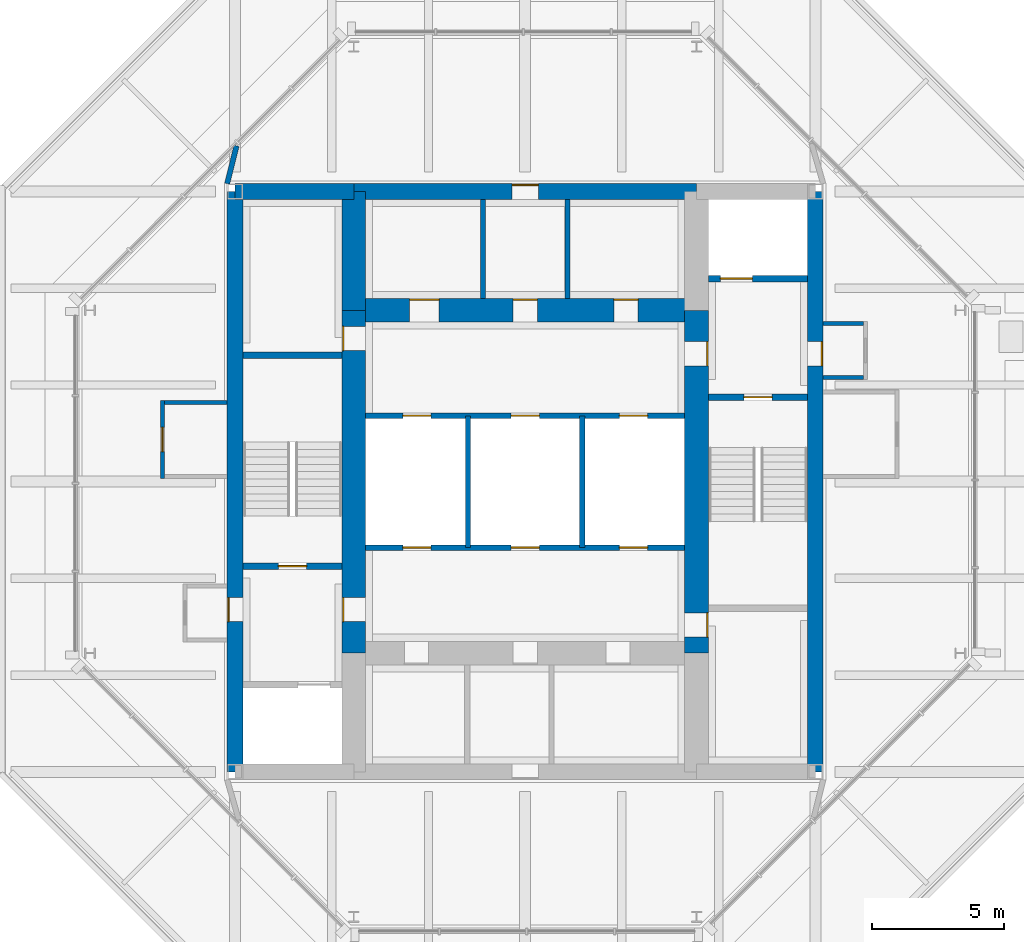
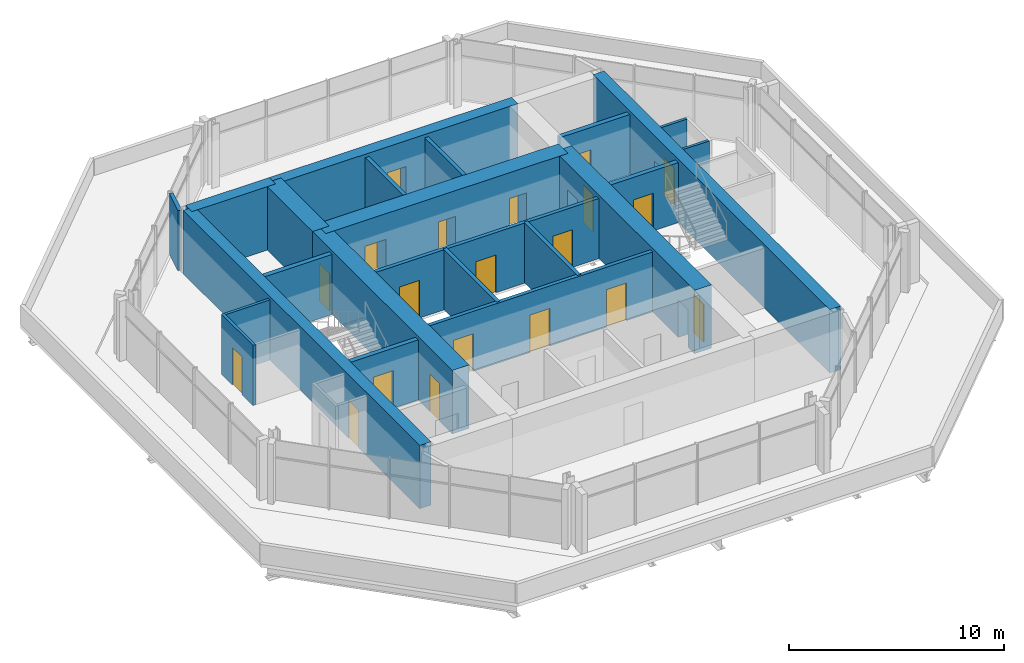
# One storey, part 8 of 10: 23 walls, 20 doors, 20 openings.
"""IFC4 building model written with IfcOpenShell, lengths in metres."""

from ifc_helpers import new_model, si_unit, direction, frame, frame_2d, origin, place, context, subcontext, project, spatial, rectangle, extrude, material, layer, layer_set, type_object, element, fill, save


model = new_model("IFC4")

# Units and contexts
model_context = context("Model", 3, precision=1e-05, world=origin(), true_north=direction((0.0, 1.0)))
body_context = subcontext(model_context, "Body", "Model", "MODEL_VIEW")
ifc_project = project(units=[si_unit("LENGTHUNIT", "METRE"), si_unit("AREAUNIT", "SQUARE_METRE"), si_unit("VOLUMEUNIT", "CUBIC_METRE"), si_unit("PLANEANGLEUNIT", "RADIAN"), si_unit("MASSUNIT", "GRAM", prefix="KILO")], contexts=[model_context])

# Site, building, storey
site_placement = place(None, origin())
site = spatial("IfcSite", under=ifc_project, at=site_placement, CompositionType="ELEMENT")
building_placement = place(site_placement, origin())
building = spatial("IfcBuilding", under=site, at=building_placement, Name="Trevanion Tower", CompositionType="ELEMENT")
storey_placement = place(building_placement, frame((0.0, 0.0, 263.199951171875)))
storey = spatial("IfcBuildingStorey", under=building, at=storey_placement, Name="L64", CompositionType="ELEMENT", Elevation=263.199951171875)

# Wall, opening, door
ifc_material_1 = material(Name="Concrete 10,000 psi", Category="concrete")
ifc_layer_1 = layer(ifc_material_1, 0.60009765625)
ifc_layer_set_1 = layer_set([ifc_layer_1], Name="CW1 core wall 600")
wall_type_1 = type_object("IfcWallType", Name="CW1 core wall 600", PredefinedType="SHEAR", material=ifc_layer_set_1)
wall_1_placement = place(storey_placement, frame((11.0, -11.0, 0.0), z_axis=(0.0, 0.0, 1.0), x_axis=(0.0, 1.0, 0.0)))
wall_1 = element("IfcWall", 1, at=wall_1_placement, inside=storey, type_object=wall_type_1, Name="CW1 CE L64", PredefinedType="SHEAR", context=body_context, shape_type="SweptSolid", body=[
    extrude(rectangle(XDim=22.0, YDim=0.60009765625, at=frame_2d((11.0, 0.0))), origin(), (0.0, 0.0, 1.0), 3.60009765625),
])
opening_1_placement = place(wall_1_placement, frame((15.392578125, 0.0, 0.0)))
opening_1 = element("IfcOpeningElement", 2, at=opening_1_placement, cuts=wall_1, Name="Opening 64-001", PredefinedType="OPENING", context=body_context, shape_type="SweptSolid", body=[
    extrude(rectangle(XDim=0.9150390625, YDim=2.134033203125, at=frame_2d((0.45751953125, 1.06689453125))), frame((0.0, 0.31005859375, 0.0), z_axis=(0.0, -1.0, 0.0), x_axis=(1.0, 0.0, 0.0)), (0.0, 0.0, 1.0), 0.6201171875),
])
ifc_material_2 = material(Name="Hollow metal, fire rated", Category="steel")
door_type_1 = type_object("IfcDoorType", Name="D3 fire lift lobby door", OperationType="SINGLE_SWING_RIGHT", PredefinedType="DOOR", material=ifc_material_2)
door_1_placement = place(opening_1_placement, origin())
door_1 = element("IfcDoor", 3, at=door_1_placement, inside=storey, type_object=door_type_1, Name="Door 64-001", OperationType="SINGLE_SWING_RIGHT", OverallHeight=2.134033203125, OverallWidth=0.9150390625, PredefinedType="DOOR", context=body_context, shape_type="SweptSolid", body=[
    extrude(rectangle(XDim=0.9150390625, YDim=2.134033203125, at=frame_2d((0.45751953125, 1.06689453125))), frame((0.0, -0.22509765625, 0.0), z_axis=(0.0, -1.0, 0.0), x_axis=(1.0, 0.0, 0.0)), (0.0, 0.0, 1.0), 0.050048828125),
])
fill(opening_1, door_1)

wall_2_placement = place(storey_placement, frame((-11.0, 11.0, 0.0), z_axis=(0.0, 0.0, 1.0), x_axis=(0.0, -1.0, 0.0)))
wall_2 = element("IfcWall", 4, at=wall_2_placement, inside=storey, type_object=wall_type_1, Name="CW1 CW L64", PredefinedType="SHEAR", context=body_context, shape_type="SweptSolid", body=[
    extrude(rectangle(XDim=22.0, YDim=0.60009765625, at=frame_2d((11.0, 0.0))), origin(), (0.0, 0.0, 1.0), 3.60009765625),
])
opening_2_placement = place(wall_2_placement, frame((15.392578125, 0.0, 0.0)))
opening_2 = element("IfcOpeningElement", 5, at=opening_2_placement, cuts=wall_2, Name="Opening 64-002", PredefinedType="OPENING", context=body_context, shape_type="SweptSolid", body=[
    extrude(rectangle(XDim=0.9150390625, YDim=2.134033203125, at=frame_2d((0.45751953125, 1.06689453125))), frame((0.0, 0.31005859375, 0.0), z_axis=(0.0, -1.0, 0.0), x_axis=(1.0, 0.0, 0.0)), (0.0, 0.0, 1.0), 0.6201171875),
])
door_2_placement = place(opening_2_placement, origin())
door_2 = element("IfcDoor", 6, at=door_2_placement, inside=storey, type_object=door_type_1, Name="Door 64-002", OperationType="SINGLE_SWING_RIGHT", OverallHeight=2.134033203125, OverallWidth=0.9150390625, PredefinedType="DOOR", context=body_context, shape_type="SweptSolid", body=[
    extrude(rectangle(XDim=0.9150390625, YDim=2.134033203125, at=frame_2d((0.45751953125, 1.06689453125))), frame((0.0, -0.22509765625, 0.0), z_axis=(0.0, -1.0, 0.0), x_axis=(1.0, 0.0, 0.0)), (0.0, 0.0, 1.0), 0.050048828125),
])
fill(opening_2, door_2)

wall_3_placement = place(storey_placement, frame((6.5, 11.0, 0.0), z_axis=(0.0, 0.0, 1.0), x_axis=(-1.0, 0.0, 0.0)))
wall_3 = element("IfcWall", 7, at=wall_3_placement, inside=storey, type_object=wall_type_1, Name="CW1 CN2 L64", PredefinedType="SHEAR", context=body_context, shape_type="SweptSolid", body=[
    extrude(rectangle(XDim=13.0, YDim=0.60009765625, at=frame_2d((6.5, 0.0))), origin(), (0.0, 0.0, 1.0), 3.60009765625),
])
opening_3_placement = place(wall_3_placement, frame((6.0, 0.0, 0.0)))
opening_3 = element("IfcOpeningElement", 8, at=opening_3_placement, cuts=wall_3, Name="Opening 64-018", PredefinedType="OPENING", context=body_context, shape_type="SweptSolid", body=[
    extrude(rectangle(XDim=1.0, YDim=2.134033203125, at=frame_2d((0.5, 1.06689453125))), frame((0.0, 0.31005859375, 0.0), z_axis=(0.0, -1.0, 0.0), x_axis=(1.0, 0.0, 0.0)), (0.0, 0.0, 1.0), 0.6201171875),
])
ifc_material_3 = material(Name="Timber veneer on steel frame, fire rated", Category="steel")
door_type_2 = type_object("IfcDoorType", Name="D13 residence entrance door", OperationType="SINGLE_SWING_RIGHT", PredefinedType="DOOR", material=ifc_material_3)
door_3_placement = place(opening_3_placement, origin())
door_3 = element("IfcDoor", 9, at=door_3_placement, inside=storey, type_object=door_type_2, Name="Door 64-018", OperationType="SINGLE_SWING_RIGHT", OverallHeight=2.134033203125, OverallWidth=1.0, PredefinedType="DOOR", context=body_context, shape_type="SweptSolid", body=[
    extrude(rectangle(XDim=1.0, YDim=2.134033203125, at=frame_2d((0.5, 1.06689453125))), frame((0.0, -0.22509765625, 0.0), z_axis=(0.0, -1.0, 0.0), x_axis=(1.0, 0.0, 0.0)), (0.0, 0.0, 1.0), 0.050048828125),
])
fill(opening_3, door_3)

# Wall
wall_4_placement = place(storey_placement, frame((-6.5, 11.0, 0.0), z_axis=(0.0, 0.0, 1.0), x_axis=(-1.0, 0.0, 0.0)))
element("IfcWall", 10, at=wall_4_placement, inside=storey, type_object=wall_type_1, Name="CW1 CN3 L64", PredefinedType="SHEAR", context=body_context, shape_type="SweptSolid", body=[
    extrude(rectangle(XDim=4.5, YDim=0.60009765625, at=frame_2d((2.25, 0.0))), origin(), (0.0, 0.0, 1.0), 3.60009765625),
])

# Wall, openings, doors
ifc_material_4 = material(Name="Concrete 10,000 psi", Category="concrete")
ifc_layer_2 = layer(ifc_material_4, 0.89990234375)
ifc_layer_set_2 = layer_set([ifc_layer_2], Name="CW2 core wall 900")
wall_type_2 = type_object("IfcWallType", Name="CW2 core wall 900", PredefinedType="SHEAR", material=ifc_layer_set_2)
wall_5_placement = place(storey_placement, frame((6.5, -6.5, 0.0), z_axis=(0.0, 0.0, 1.0), x_axis=(0.0, 1.0, 0.0)))
wall_5 = element("IfcWall", 11, at=wall_5_placement, inside=storey, type_object=wall_type_2, Name="CW2 RE2 L64", PredefinedType="SHEAR", context=body_context, shape_type="SweptSolid", body=[
    extrude(rectangle(XDim=13.0, YDim=0.89990234375, at=frame_2d((6.5, 0.0))), origin(), (0.0, 0.0, 1.0), 3.60009765625),
])
opening_4_placement = place(wall_5_placement, frame((10.892578125, 0.0, 0.0)))
opening_4 = element("IfcOpeningElement", 12, at=opening_4_placement, cuts=wall_5, Name="Opening 64-003", PredefinedType="OPENING", context=body_context, shape_type="SweptSolid", body=[
    extrude(rectangle(XDim=0.9150390625, YDim=2.134033203125, at=frame_2d((0.45751953125, 1.06689453125))), frame((0.0, 0.4599609375, 0.0), z_axis=(0.0, -1.0, 0.0), x_axis=(1.0, 0.0, 0.0)), (0.0, 0.0, 1.0), 0.919921875),
])
opening_5_placement = place(wall_5_placement, frame((0.610107421875, 0.0, 0.0)))
opening_5 = element("IfcOpeningElement", 13, at=opening_5_placement, cuts=wall_5, Name="Opening 64-009", PredefinedType="OPENING", context=body_context, shape_type="SweptSolid", body=[
    extrude(rectangle(XDim=0.9150390625, YDim=2.134033203125, at=frame_2d((0.45751953125, 1.06689453125))), frame((0.0, 0.4599609375, 0.0), z_axis=(0.0, -1.0, 0.0), x_axis=(1.0, 0.0, 0.0)), (0.0, 0.0, 1.0), 0.919921875),
])
door_4_placement = place(opening_4_placement, origin())
door_4 = element("IfcDoor", 14, at=door_4_placement, inside=storey, type_object=door_type_1, Name="Door 64-003", OperationType="SINGLE_SWING_RIGHT", OverallHeight=2.134033203125, OverallWidth=0.9150390625, PredefinedType="DOOR", context=body_context, shape_type="SweptSolid", body=[
    extrude(rectangle(XDim=0.9150390625, YDim=2.134033203125, at=frame_2d((0.45751953125, 1.06689453125))), frame((0.0, -0.375, 0.0), z_axis=(0.0, -1.0, 0.0), x_axis=(1.0, 0.0, 0.0)), (0.0, 0.0, 1.0), 0.050048828125),
])
fill(opening_4, door_4)
ifc_material_5 = material(Name="Hollow metal, fire rated", Category="steel")
door_type_3 = type_object("IfcDoorType", Name="D5 service room door", OperationType="SINGLE_SWING_RIGHT", PredefinedType="DOOR", material=ifc_material_5)
door_5_placement = place(opening_5_placement, origin())
door_5 = element("IfcDoor", 15, at=door_5_placement, inside=storey, type_object=door_type_3, Name="Door 64-009", OperationType="SINGLE_SWING_RIGHT", OverallHeight=2.134033203125, OverallWidth=0.9150390625, PredefinedType="DOOR", context=body_context, shape_type="SweptSolid", body=[
    extrude(rectangle(XDim=0.9150390625, YDim=2.134033203125, at=frame_2d((0.45751953125, 1.06689453125))), frame((0.0, -0.375, 0.0), z_axis=(0.0, -1.0, 0.0), x_axis=(1.0, 0.0, 0.0)), (0.0, 0.0, 1.0), 0.050048828125),
])
fill(opening_5, door_5)

# Wall
wall_6_placement = place(storey_placement, frame((-6.5, 11.0, 0.0), z_axis=(0.0, 0.0, 1.0), x_axis=(0.0, -1.0, 0.0)))
element("IfcWall", 16, at=wall_6_placement, inside=storey, type_object=wall_type_2, Name="CW2 RW1 L64", PredefinedType="SHEAR", context=body_context, shape_type="SweptSolid", body=[
    extrude(rectangle(XDim=4.5, YDim=0.89990234375, at=frame_2d((2.25, 0.0))), origin(), (0.0, 0.0, 1.0), 3.60009765625),
])

# Wall, openings, doors
wall_7_placement = place(storey_placement, frame((-6.5, 6.5, 0.0), z_axis=(0.0, 0.0, 1.0), x_axis=(0.0, -1.0, 0.0)))
wall_7 = element("IfcWall", 17, at=wall_7_placement, inside=storey, type_object=wall_type_2, Name="CW2 RW2 L64", PredefinedType="SHEAR", context=body_context, shape_type="SweptSolid", body=[
    extrude(rectangle(XDim=13.0, YDim=0.89990234375, at=frame_2d((6.5, 0.0))), origin(), (0.0, 0.0, 1.0), 3.60009765625),
])
opening_6_placement = place(wall_7_placement, frame((10.892578125, 0.0, 0.0)))
opening_6 = element("IfcOpeningElement", 18, at=opening_6_placement, cuts=wall_7, Name="Opening 64-004", PredefinedType="OPENING", context=body_context, shape_type="SweptSolid", body=[
    extrude(rectangle(XDim=0.9150390625, YDim=2.134033203125, at=frame_2d((0.45751953125, 1.06689453125))), frame((0.0, 0.4599609375, 0.0), z_axis=(0.0, -1.0, 0.0), x_axis=(1.0, 0.0, 0.0)), (0.0, 0.0, 1.0), 0.919921875),
])
opening_7_placement = place(wall_7_placement, frame((0.610107421875, 0.0, 0.0)))
opening_7 = element("IfcOpeningElement", 19, at=opening_7_placement, cuts=wall_7, Name="Opening 64-010", PredefinedType="OPENING", context=body_context, shape_type="SweptSolid", body=[
    extrude(rectangle(XDim=0.9150390625, YDim=2.134033203125, at=frame_2d((0.45751953125, 1.06689453125))), frame((0.0, 0.4599609375, 0.0), z_axis=(0.0, -1.0, 0.0), x_axis=(1.0, 0.0, 0.0)), (0.0, 0.0, 1.0), 0.919921875),
])
door_6_placement = place(opening_6_placement, origin())
door_6 = element("IfcDoor", 20, at=door_6_placement, inside=storey, type_object=door_type_1, Name="Door 64-004", OperationType="SINGLE_SWING_RIGHT", OverallHeight=2.134033203125, OverallWidth=0.9150390625, PredefinedType="DOOR", context=body_context, shape_type="SweptSolid", body=[
    extrude(rectangle(XDim=0.9150390625, YDim=2.134033203125, at=frame_2d((0.45751953125, 1.06689453125))), frame((0.0, -0.375, 0.0), z_axis=(0.0, -1.0, 0.0), x_axis=(1.0, 0.0, 0.0)), (0.0, 0.0, 1.0), 0.050048828125),
])
fill(opening_6, door_6)
door_7_placement = place(opening_7_placement, origin())
door_7 = element("IfcDoor", 21, at=door_7_placement, inside=storey, type_object=door_type_3, Name="Door 64-010", OperationType="SINGLE_SWING_RIGHT", OverallHeight=2.134033203125, OverallWidth=0.9150390625, PredefinedType="DOOR", context=body_context, shape_type="SweptSolid", body=[
    extrude(rectangle(XDim=0.9150390625, YDim=2.134033203125, at=frame_2d((0.45751953125, 1.06689453125))), frame((0.0, -0.375, 0.0), z_axis=(0.0, -1.0, 0.0), x_axis=(1.0, 0.0, 0.0)), (0.0, 0.0, 1.0), 0.050048828125),
])
fill(opening_7, door_7)

wall_8_placement = place(storey_placement, frame((6.5, 6.5, 0.0), z_axis=(0.0, 0.0, 1.0), x_axis=(-1.0, 0.0, 0.0)))
wall_8 = element("IfcWall", 22, at=wall_8_placement, inside=storey, type_object=wall_type_2, Name="CW2 RN L64", PredefinedType="SHEAR", context=body_context, shape_type="SweptSolid", body=[
    extrude(rectangle(XDim=13.0, YDim=0.89990234375, at=frame_2d((6.5, 0.0))), origin(), (0.0, 0.0, 1.0), 3.60009765625),
])
opening_8_placement = place(wall_8_placement, frame((6.04248046875, 0.0, 0.0)))
opening_8 = element("IfcOpeningElement", 23, at=opening_8_placement, cuts=wall_8, Name="Opening 64-017", PredefinedType="OPENING", context=body_context, shape_type="SweptSolid", body=[
    extrude(rectangle(XDim=0.9150390625, YDim=2.134033203125, at=frame_2d((0.45751953125, 1.06689453125))), frame((0.0, 0.4599609375, 0.0), z_axis=(0.0, -1.0, 0.0), x_axis=(1.0, 0.0, 0.0)), (0.0, 0.0, 1.0), 0.919921875),
])
opening_9_placement = place(wall_8_placement, frame((9.76611328125, 0.0, 0.0)))
opening_9 = element("IfcOpeningElement", 24, at=opening_9_placement, cuts=wall_8, Name="Opening 64-019", PredefinedType="OPENING", context=body_context, shape_type="SweptSolid", body=[
    extrude(rectangle(XDim=1.117919921875, YDim=2.134033203125, at=frame_2d((0.55908203125, 1.06689453125))), frame((0.0, 0.4599609375, 0.0), z_axis=(0.0, -1.0, 0.0), x_axis=(1.0, 0.0, 0.0)), (0.0, 0.0, 1.0), 0.919921875),
])
opening_10_placement = place(wall_8_placement, frame((2.217529296875, 0.0, 0.0)))
opening_10 = element("IfcOpeningElement", 25, at=opening_10_placement, cuts=wall_8, Name="Opening 64-020", PredefinedType="OPENING", context=body_context, shape_type="SweptSolid", body=[
    extrude(rectangle(XDim=0.9150390625, YDim=2.134033203125, at=frame_2d((0.45751953125, 1.06689453125))), frame((0.0, 0.4599609375, 0.0), z_axis=(0.0, -1.0, 0.0), x_axis=(1.0, 0.0, 0.0)), (0.0, 0.0, 1.0), 0.919921875),
])
ifc_material_6 = material(Name="Hollow metal, fire rated", Category="steel")
door_type_4 = type_object("IfcDoorType", Name="D16 refuse room door", OperationType="SINGLE_SWING_RIGHT", PredefinedType="DOOR", material=ifc_material_6)
door_8_placement = place(opening_9_placement, origin())
door_8 = element("IfcDoor", 26, at=door_8_placement, inside=storey, type_object=door_type_4, Name="Door 64-019", OperationType="SINGLE_SWING_RIGHT", OverallHeight=2.134033203125, OverallWidth=1.117919921875, PredefinedType="DOOR", context=body_context, shape_type="SweptSolid", body=[
    extrude(rectangle(XDim=1.117919921875, YDim=2.134033203125, at=frame_2d((0.55908203125, 1.06689453125))), frame((0.0, -0.375, 0.0), z_axis=(0.0, -1.0, 0.0), x_axis=(1.0, 0.0, 0.0)), (0.0, 0.0, 1.0), 0.050048828125),
])
fill(opening_9, door_8)
door_9_placement = place(opening_8_placement, origin())
door_9 = element("IfcDoor", 27, at=door_9_placement, inside=storey, type_object=door_type_1, Name="Door 64-017", OperationType="SINGLE_SWING_RIGHT", OverallHeight=2.134033203125, OverallWidth=0.9150390625, PredefinedType="DOOR", context=body_context, shape_type="SweptSolid", body=[
    extrude(rectangle(XDim=0.9150390625, YDim=2.134033203125, at=frame_2d((0.45751953125, 1.06689453125))), frame((0.0, -0.375, 0.0), z_axis=(0.0, -1.0, 0.0), x_axis=(1.0, 0.0, 0.0)), (0.0, 0.0, 1.0), 0.050048828125),
])
fill(opening_8, door_9)
door_10_placement = place(opening_10_placement, origin())
door_10 = element("IfcDoor", 28, at=door_10_placement, inside=storey, type_object=door_type_3, Name="Door 64-020", OperationType="SINGLE_SWING_RIGHT", OverallHeight=2.134033203125, OverallWidth=0.9150390625, PredefinedType="DOOR", context=body_context, shape_type="SweptSolid", body=[
    extrude(rectangle(XDim=0.9150390625, YDim=2.134033203125, at=frame_2d((0.45751953125, 1.06689453125))), frame((0.0, -0.375, 0.0), z_axis=(0.0, -1.0, 0.0), x_axis=(1.0, 0.0, 0.0)), (0.0, 0.0, 1.0), 0.050048828125),
])
fill(opening_10, door_10)

# Walls
ifc_material_7 = material(Name="Gypsum board on steel studs", Category="steel")
ifc_layer_3 = layer(ifc_material_7, 0.14990234375)
ifc_layer_set_3 = layer_set([ifc_layer_3], Name="PT1 partition 150")
wall_type_3 = type_object("IfcWallType", Name="PT1 partition 150", PredefinedType="PARTITIONING", material=ifc_layer_set_3)
for number, where, z_axis, x_axis, name in (
    (29, (11.300048828125, 3.949951171875, 0.0), (0.0, 0.0, 1.0), (1.0, 0.0, 0.0), "PT1 L64 REEA"),
    (30, (11.300048828125, 6.0, 0.0), (0.0, 0.0, 1.0), (1.0, 0.0, 0.0), "PT1 L64 REEB"),
):
    element("IfcWall", number, at=place(storey_placement, frame(where, z_axis=z_axis, x_axis=x_axis)), inside=storey, type_object=wall_type_3, Name=name, PredefinedType="PARTITIONING", context=body_context, shape_type="SweptSolid", body=[
        extrude(rectangle(XDim=1.52490234375, YDim=0.14990234375, at=frame_2d((0.762451171875, 0.0))), origin(), (0.0, 0.0, 1.0), 3.41015625),
    ])

# Wall, opening, door
wall_9_placement = place(storey_placement, frame((-13.75, 3.074951171875, 0.0), z_axis=(0.0, 0.0, 1.0), x_axis=(0.0, -1.0, 0.0)))
wall_9 = element("IfcWall", 31, at=wall_9_placement, inside=storey, type_object=wall_type_3, Name="PT1 L64 RWTF", PredefinedType="PARTITIONING", context=body_context, shape_type="SweptSolid", body=[
    extrude(rectangle(XDim=2.949951171875, YDim=0.14990234375, at=frame_2d((1.47509765625, 0.0))), origin(), (0.0, 0.0, 1.0), 3.41015625),
])
opening_11_placement = place(wall_9_placement, frame((1.017578125, 0.0, 0.0)))
opening_11 = element("IfcOpeningElement", 32, at=opening_11_placement, cuts=wall_9, Name="Opening 64-028", PredefinedType="OPENING", context=body_context, shape_type="SweptSolid", body=[
    extrude(rectangle(XDim=0.9150390625, YDim=2.134033203125, at=frame_2d((0.45751953125, 1.06689453125))), frame((0.0, 0.0849609375, 0.0), z_axis=(0.0, -1.0, 0.0), x_axis=(1.0, 0.0, 0.0)), (0.0, 0.0, 1.0), 0.169921875),
])
ifc_material_8 = material(Name="Plastic laminate on solid core", Category="wood")
door_type_5 = type_object("IfcDoorType", Name="D4 toilet door", OperationType="SINGLE_SWING_LEFT", PredefinedType="DOOR", material=ifc_material_8)
door_11_placement = place(opening_11_placement, origin())
door_11 = element("IfcDoor", 33, at=door_11_placement, inside=storey, type_object=door_type_5, Name="Door 64-028", OperationType="SINGLE_SWING_LEFT", OverallHeight=2.134033203125, OverallWidth=0.9150390625, PredefinedType="DOOR", context=body_context, shape_type="SweptSolid", body=[
    extrude(rectangle(XDim=0.9150390625, YDim=2.134033203125, at=frame_2d((0.45751953125, 1.06689453125))), frame((0.0, 0.02490234375, 0.0), z_axis=(0.0, -1.0, 0.0), x_axis=(1.0, 0.0, 0.0)), (0.0, 0.0, 1.0), 0.050048828125),
])
fill(opening_11, door_11)

# Wall
wall_10_placement = place(storey_placement, frame((-11.300048828125, 3.0, 0.0), z_axis=(0.0, 0.0, 1.0), x_axis=(-1.0, 0.0, 0.0)))
element("IfcWall", 34, at=wall_10_placement, inside=storey, type_object=wall_type_3, Name="PT1 L64 RWTA", PredefinedType="PARTITIONING", context=body_context, shape_type="SweptSolid", body=[
    extrude(rectangle(XDim=2.375, YDim=0.14990234375, at=frame_2d((1.1875, 0.0))), origin(), (0.0, 0.0, 1.0), 3.41015625),
])

# Wall, openings, doors
ifc_material_9 = material(Name="Concrete masonry, grouted", Category="masonry")
ifc_layer_4 = layer(ifc_material_9, 0.199951171875)
ifc_layer_set_4 = layer_set([ifc_layer_4], Name="PT2 partition 200 1 HR")
wall_type_4 = type_object("IfcWallType", Name="PT2 partition 200 1 HR", PredefinedType="PARTITIONING", material=ifc_layer_set_4)
wall_11_placement = place(storey_placement, frame((-6.050048828125, 2.5, 0.0), z_axis=(0.0, 0.0, 1.0), x_axis=(1.0, 0.0, 0.0)))
wall_11 = element("IfcWall", 35, at=wall_11_placement, inside=storey, type_object=wall_type_4, Name="PT2 L64 CP1", PredefinedType="PARTITIONING", context=body_context, shape_type="SweptSolid", body=[
    extrude(rectangle(XDim=12.10009765625, YDim=0.199951171875, at=frame_2d((6.050048828125, 0.0))), origin(), (0.0, 0.0, 1.0), 3.41015625),
])
opening_12_placement = place(wall_11_placement, frame((1.408203125, 0.0, 0.0)))
opening_12 = element("IfcOpeningElement", 36, at=opening_12_placement, cuts=wall_11, Name="Opening 64-011", PredefinedType="OPENING", context=body_context, shape_type="SweptSolid", body=[
    extrude(rectangle(XDim=1.06689453125, YDim=2.134033203125, at=frame_2d((0.533447265625, 1.06689453125))), frame((0.0, 0.10986328125, 0.0), z_axis=(0.0, -1.0, 0.0), x_axis=(1.0, 0.0, 0.0)), (0.0, 0.0, 1.0), 0.219970703125),
])
opening_13_placement = place(wall_11_placement, frame((5.5166015625, 0.0, 0.0)))
opening_13 = element("IfcOpeningElement", 37, at=opening_13_placement, cuts=wall_11, Name="Opening 64-013", PredefinedType="OPENING", context=body_context, shape_type="SweptSolid", body=[
    extrude(rectangle(XDim=1.06689453125, YDim=2.134033203125, at=frame_2d((0.533447265625, 1.06689453125))), frame((0.0, 0.10986328125, 0.0), z_axis=(0.0, -1.0, 0.0), x_axis=(1.0, 0.0, 0.0)), (0.0, 0.0, 1.0), 0.219970703125),
])
opening_14_placement = place(wall_11_placement, frame((9.624755859375, 0.0, 0.0)))
opening_14 = element("IfcOpeningElement", 38, at=opening_14_placement, cuts=wall_11, Name="Opening 64-015", PredefinedType="OPENING", context=body_context, shape_type="SweptSolid", body=[
    extrude(rectangle(XDim=1.06689453125, YDim=2.134033203125, at=frame_2d((0.533447265625, 1.06689453125))), frame((0.0, 0.10986328125, 0.0), z_axis=(0.0, -1.0, 0.0), x_axis=(1.0, 0.0, 0.0)), (0.0, 0.0, 1.0), 0.219970703125),
])
ifc_material_10 = material(Name="Stainless steel, fire rated", Category="steel")
door_type_6 = type_object("IfcDoorType", Name="LD1 lift landing door", OperationType="SLIDING_TO_LEFT", PredefinedType="DOOR", material=ifc_material_10)
door_12_placement = place(opening_12_placement, origin())
door_12 = element("IfcDoor", 39, at=door_12_placement, inside=storey, type_object=door_type_6, Name="Door 64-011", OperationType="SLIDING_TO_LEFT", OverallHeight=2.134033203125, OverallWidth=1.06689453125, PredefinedType="DOOR", context=body_context, shape_type="SweptSolid", body=[
    extrude(rectangle(XDim=1.06689453125, YDim=2.134033203125, at=frame_2d((0.533447265625, 1.06689453125))), frame((0.0, 0.02490234375, 0.0), z_axis=(0.0, -1.0, 0.0), x_axis=(1.0, 0.0, 0.0)), (0.0, 0.0, 1.0), 0.050048828125),
])
fill(opening_12, door_12)
door_13_placement = place(opening_13_placement, origin())
door_13 = element("IfcDoor", 40, at=door_13_placement, inside=storey, type_object=door_type_6, Name="Door 64-013", OperationType="SLIDING_TO_LEFT", OverallHeight=2.134033203125, OverallWidth=1.06689453125, PredefinedType="DOOR", context=body_context, shape_type="SweptSolid", body=[
    extrude(rectangle(XDim=1.06689453125, YDim=2.134033203125, at=frame_2d((0.533447265625, 1.06689453125))), frame((0.0, 0.02490234375, 0.0), z_axis=(0.0, -1.0, 0.0), x_axis=(1.0, 0.0, 0.0)), (0.0, 0.0, 1.0), 0.050048828125),
])
fill(opening_13, door_13)
door_14_placement = place(opening_14_placement, origin())
door_14 = element("IfcDoor", 41, at=door_14_placement, inside=storey, type_object=door_type_6, Name="Door 64-015", OperationType="SLIDING_TO_LEFT", OverallHeight=2.134033203125, OverallWidth=1.06689453125, PredefinedType="DOOR", context=body_context, shape_type="SweptSolid", body=[
    extrude(rectangle(XDim=1.06689453125, YDim=2.134033203125, at=frame_2d((0.533447265625, 1.06689453125))), frame((0.0, 0.02490234375, 0.0), z_axis=(0.0, -1.0, 0.0), x_axis=(1.0, 0.0, 0.0)), (0.0, 0.0, 1.0), 0.050048828125),
])
fill(opening_14, door_14)

wall_12_placement = place(storey_placement, frame((6.050048828125, -2.5, 0.0), z_axis=(0.0, 0.0, 1.0), x_axis=(-1.0, 0.0, 0.0)))
wall_12 = element("IfcWall", 42, at=wall_12_placement, inside=storey, type_object=wall_type_4, Name="PT2 L64 CP2", PredefinedType="PARTITIONING", context=body_context, shape_type="SweptSolid", body=[
    extrude(rectangle(XDim=12.10009765625, YDim=0.199951171875, at=frame_2d((6.050048828125, 0.0))), origin(), (0.0, 0.0, 1.0), 3.41015625),
])
opening_15_placement = place(wall_12_placement, frame((9.624755859375, 0.0, 0.0)))
opening_15 = element("IfcOpeningElement", 43, at=opening_15_placement, cuts=wall_12, Name="Opening 64-012", PredefinedType="OPENING", context=body_context, shape_type="SweptSolid", body=[
    extrude(rectangle(XDim=1.06689453125, YDim=2.134033203125, at=frame_2d((0.533447265625, 1.06689453125))), frame((0.0, 0.10986328125, 0.0), z_axis=(0.0, -1.0, 0.0), x_axis=(1.0, 0.0, 0.0)), (0.0, 0.0, 1.0), 0.219970703125),
])
opening_16_placement = place(wall_12_placement, frame((5.5166015625, 0.0, 0.0)))
opening_16 = element("IfcOpeningElement", 44, at=opening_16_placement, cuts=wall_12, Name="Opening 64-014", PredefinedType="OPENING", context=body_context, shape_type="SweptSolid", body=[
    extrude(rectangle(XDim=1.06689453125, YDim=2.134033203125, at=frame_2d((0.533447265625, 1.06689453125))), frame((0.0, 0.10986328125, 0.0), z_axis=(0.0, -1.0, 0.0), x_axis=(1.0, 0.0, 0.0)), (0.0, 0.0, 1.0), 0.219970703125),
])
opening_17_placement = place(wall_12_placement, frame((1.408203125, 0.0, 0.0)))
opening_17 = element("IfcOpeningElement", 45, at=opening_17_placement, cuts=wall_12, Name="Opening 64-016", PredefinedType="OPENING", context=body_context, shape_type="SweptSolid", body=[
    extrude(rectangle(XDim=1.06689453125, YDim=2.134033203125, at=frame_2d((0.533447265625, 1.06689453125))), frame((0.0, 0.10986328125, 0.0), z_axis=(0.0, -1.0, 0.0), x_axis=(1.0, 0.0, 0.0)), (0.0, 0.0, 1.0), 0.219970703125),
])
door_15_placement = place(opening_15_placement, origin())
door_15 = element("IfcDoor", 46, at=door_15_placement, inside=storey, type_object=door_type_6, Name="Door 64-012", OperationType="SLIDING_TO_LEFT", OverallHeight=2.134033203125, OverallWidth=1.06689453125, PredefinedType="DOOR", context=body_context, shape_type="SweptSolid", body=[
    extrude(rectangle(XDim=1.06689453125, YDim=2.134033203125, at=frame_2d((0.533447265625, 1.06689453125))), frame((0.0, 0.02490234375, 0.0), z_axis=(0.0, -1.0, 0.0), x_axis=(1.0, 0.0, 0.0)), (0.0, 0.0, 1.0), 0.050048828125),
])
fill(opening_15, door_15)
door_16_placement = place(opening_16_placement, origin())
door_16 = element("IfcDoor", 47, at=door_16_placement, inside=storey, type_object=door_type_6, Name="Door 64-014", OperationType="SLIDING_TO_LEFT", OverallHeight=2.134033203125, OverallWidth=1.06689453125, PredefinedType="DOOR", context=body_context, shape_type="SweptSolid", body=[
    extrude(rectangle(XDim=1.06689453125, YDim=2.134033203125, at=frame_2d((0.533447265625, 1.06689453125))), frame((0.0, 0.02490234375, 0.0), z_axis=(0.0, -1.0, 0.0), x_axis=(1.0, 0.0, 0.0)), (0.0, 0.0, 1.0), 0.050048828125),
])
fill(opening_16, door_16)
door_17_placement = place(opening_17_placement, origin())
door_17 = element("IfcDoor", 48, at=door_17_placement, inside=storey, type_object=door_type_6, Name="Door 64-016", OperationType="SLIDING_TO_LEFT", OverallHeight=2.134033203125, OverallWidth=1.06689453125, PredefinedType="DOOR", context=body_context, shape_type="SweptSolid", body=[
    extrude(rectangle(XDim=1.06689453125, YDim=2.134033203125, at=frame_2d((0.533447265625, 1.06689453125))), frame((0.0, 0.02490234375, 0.0), z_axis=(0.0, -1.0, 0.0), x_axis=(1.0, 0.0, 0.0)), (0.0, 0.0, 1.0), 0.050048828125),
])
fill(opening_17, door_17)

# Walls
for number, where, z_axis, x_axis, name in (
    (49, (-1.60009765625, 6.949951171875, 0.0), (0.0, 0.0, 1.0), (0.0, 1.0, 0.0), "PT2 L64 CNP1"),
    (50, (1.60009765625, 6.949951171875, 0.0), (0.0, 0.0, 1.0), (0.0, 1.0, 0.0), "PT2 L64 CNP2"),
):
    element("IfcWall", number, at=place(storey_placement, frame(where, z_axis=z_axis, x_axis=x_axis)), inside=storey, type_object=wall_type_4, Name=name, PredefinedType="PARTITIONING", context=body_context, shape_type="SweptSolid", body=[
        extrude(rectangle(XDim=3.75, YDim=0.199951171875, at=frame_2d((1.875, 0.0))), origin(), (0.0, 0.0, 1.0), 3.41015625),
    ])
wall_13_placement = place(storey_placement, frame((-11.300048828125, 11.300048828125, 0.0), z_axis=(0.0, 0.0, 1.0), x_axis=(0.24050983258, 0.970646702169, 0.0)))
element("IfcWall", 51, at=wall_13_placement, inside=storey, type_object=wall_type_4, Name="PT2 L64 UB1", PredefinedType="PARTITIONING", context=body_context, shape_type="SweptSolid", body=[
    extrude(rectangle(XDim=1.474853515625, YDim=0.199951171875, at=frame_2d((0.7373046875, 0.0))), origin(), (0.0, 0.0, 1.0), 3.41015625),
])
ifc_material_11 = material(Name="Concrete masonry, grouted", Category="masonry")
ifc_layer_5 = layer(ifc_material_11, 0.199951171875)
ifc_layer_set_5 = layer_set([ifc_layer_5], Name="PT2 partition 200 2 HR")
wall_type_5 = type_object("IfcWallType", Name="PT2 partition 200 2 HR", PredefinedType="PARTITIONING", material=ifc_layer_set_5)
for number, where, z_axis, x_axis, name in (
    (52, (-2.166748046875, -2.5, 0.0), (0.0, 0.0, 1.0), (0.0, 1.0, 0.0), "PT2 L64 MS0"),
    (53, (2.166748046875, -2.5, 0.0), (0.0, 0.0, 1.0), (0.0, 1.0, 0.0), "PT2 L64 MS1"),
):
    element("IfcWall", number, at=place(storey_placement, frame(where, z_axis=z_axis, x_axis=x_axis)), inside=storey, type_object=wall_type_5, Name=name, PredefinedType="PARTITIONING", context=body_context, shape_type="SweptSolid", body=[
        extrude(rectangle(XDim=5.0, YDim=0.199951171875, at=frame_2d((2.5, 0.0))), origin(), (0.0, 0.0, 1.0), 3.41015625),
    ])

# Wall, opening, door
ifc_material_12 = material(Name="Concrete masonry, grouted, two-hour", Category="masonry")
ifc_layer_6 = layer(ifc_material_12, 0.25)
ifc_layer_set_6 = layer_set([ifc_layer_6], Name="PT3 partition 250 2 HR")
wall_type_6 = type_object("IfcWallType", Name="PT3 partition 250 2 HR", PredefinedType="PARTITIONING", material=ifc_layer_set_6)
wall_14_placement = place(storey_placement, frame((6.949951171875, 7.699951171875, 0.0), z_axis=(0.0, 0.0, 1.0), x_axis=(1.0, 0.0, 0.0)))
wall_14 = element("IfcWall", 54, at=wall_14_placement, inside=storey, type_object=wall_type_6, Name="PT3 L64 EP3", PredefinedType="PARTITIONING", context=body_context, shape_type="SweptSolid", body=[
    extrude(rectangle(XDim=3.75, YDim=0.25, at=frame_2d((1.875, 0.0))), origin(), (0.0, 0.0, 1.0), 3.41015625),
])
opening_18_placement = place(wall_14_placement, frame((0.449951171875, 0.0, 0.0)))
opening_18 = element("IfcOpeningElement", 55, at=opening_18_placement, cuts=wall_14, Name="Opening 64-007", PredefinedType="OPENING", context=body_context, shape_type="SweptSolid", body=[
    extrude(rectangle(XDim=1.218994140625, YDim=2.134033203125, at=frame_2d((0.609375, 1.06689453125))), frame((0.0, 0.135009765625, 0.0), z_axis=(0.0, -1.0, 0.0), x_axis=(1.0, 0.0, 0.0)), (0.0, 0.0, 1.0), 0.27001953125),
])
ifc_material_13 = material(Name="Stainless steel, fire rated", Category="steel")
door_type_7 = type_object("IfcDoorType", Name="LD2 fire service lift landing door", OperationType="SLIDING_TO_LEFT", PredefinedType="DOOR", material=ifc_material_13)
door_18_placement = place(opening_18_placement, origin())
door_18 = element("IfcDoor", 56, at=door_18_placement, inside=storey, type_object=door_type_7, Name="Door 64-007", OperationType="SLIDING_TO_LEFT", OverallHeight=2.134033203125, OverallWidth=1.218994140625, PredefinedType="DOOR", context=body_context, shape_type="SweptSolid", body=[
    extrude(rectangle(XDim=1.218994140625, YDim=2.134033203125, at=frame_2d((0.609375, 1.06689453125))), frame((0.0, 0.02490234375, 0.0), z_axis=(0.0, -1.0, 0.0), x_axis=(1.0, 0.0, 0.0)), (0.0, 0.0, 1.0), 0.050048828125),
])
fill(opening_18, door_18)

# Wall
ifc_material_14 = material(Name="Reinforced masonry, fully grouted", Category="masonry")
ifc_layer_7 = layer(ifc_material_14, 0.25)
ifc_layer_set_7 = layer_set([ifc_layer_7], Name="SW1 stair shaft wall 250")
wall_type_7 = type_object("IfcWallType", Name="SW1 stair shaft wall 250", PredefinedType="SOLIDWALL", material=ifc_layer_set_7)
wall_15_placement = place(storey_placement, frame((-6.949951171875, 4.800048828125, 0.0), z_axis=(0.0, 0.0, 1.0), x_axis=(-1.0, 0.0, 0.0)))
element("IfcWall", 57, at=wall_15_placement, inside=storey, type_object=wall_type_7, Name="SW1 L64 WP1", PredefinedType="SOLIDWALL", context=body_context, shape_type="SweptSolid", body=[
    extrude(rectangle(XDim=3.75, YDim=0.25, at=frame_2d((1.875, 0.0))), origin(), (0.0, 0.0, 1.0), 3.41015625),
])

# Wall, opening, door
wall_16_placement = place(storey_placement, frame((6.949951171875, 3.199951171875, 0.0), z_axis=(0.0, 0.0, 1.0), x_axis=(1.0, 0.0, 0.0)))
wall_16 = element("IfcWall", 58, at=wall_16_placement, inside=storey, type_object=wall_type_7, Name="SW1 L64 EP2", PredefinedType="SOLIDWALL", context=body_context, shape_type="SweptSolid", body=[
    extrude(rectangle(XDim=3.75, YDim=0.25, at=frame_2d((1.875, 0.0))), origin(), (0.0, 0.0, 1.0), 3.41015625),
])
opening_19_placement = place(wall_16_placement, frame((1.341552734375, 0.0, 0.0)))
opening_19 = element("IfcOpeningElement", 59, at=opening_19_placement, cuts=wall_16, Name="Opening 64-005", PredefinedType="OPENING", context=body_context, shape_type="SweptSolid", body=[
    extrude(rectangle(XDim=1.06689453125, YDim=2.134033203125, at=frame_2d((0.533447265625, 1.06689453125))), frame((0.0, 0.135009765625, 0.0), z_axis=(0.0, -1.0, 0.0), x_axis=(1.0, 0.0, 0.0)), (0.0, 0.0, 1.0), 0.27001953125),
])
ifc_material_15 = material(Name="Hollow metal, fire rated", Category="steel")
door_type_8 = type_object("IfcDoorType", Name="D2 exit stair door", OperationType="SINGLE_SWING_LEFT", PredefinedType="DOOR", material=ifc_material_15)
door_19_placement = place(opening_19_placement, origin())
door_19 = element("IfcDoor", 60, at=door_19_placement, inside=storey, type_object=door_type_8, Name="Door 64-005", OperationType="SINGLE_SWING_LEFT", OverallHeight=2.134033203125, OverallWidth=1.06689453125, PredefinedType="DOOR", context=body_context, shape_type="SweptSolid", body=[
    extrude(rectangle(XDim=1.06689453125, YDim=2.134033203125, at=frame_2d((0.533447265625, 1.06689453125))), frame((0.0, 0.02490234375, 0.0), z_axis=(0.0, -1.0, 0.0), x_axis=(1.0, 0.0, 0.0)), (0.0, 0.0, 1.0), 0.050048828125),
])
fill(opening_19, door_19)

wall_17_placement = place(storey_placement, frame((-6.949951171875, -3.199951171875, 0.0), z_axis=(0.0, 0.0, 1.0), x_axis=(-1.0, 0.0, 0.0)))
wall_17 = element("IfcWall", 61, at=wall_17_placement, inside=storey, type_object=wall_type_7, Name="SW1 L64 WP2", PredefinedType="SOLIDWALL", context=body_context, shape_type="SweptSolid", body=[
    extrude(rectangle(XDim=3.75, YDim=0.25, at=frame_2d((1.875, 0.0))), origin(), (0.0, 0.0, 1.0), 3.41015625),
])
opening_20_placement = place(wall_17_placement, frame((1.341552734375, 0.0, 0.0)))
opening_20 = element("IfcOpeningElement", 62, at=opening_20_placement, cuts=wall_17, Name="Opening 64-006", PredefinedType="OPENING", context=body_context, shape_type="SweptSolid", body=[
    extrude(rectangle(XDim=1.06689453125, YDim=2.134033203125, at=frame_2d((0.533447265625, 1.06689453125))), frame((0.0, 0.135009765625, 0.0), z_axis=(0.0, -1.0, 0.0), x_axis=(1.0, 0.0, 0.0)), (0.0, 0.0, 1.0), 0.27001953125),
])
door_20_placement = place(opening_20_placement, origin())
door_20 = element("IfcDoor", 63, at=door_20_placement, inside=storey, type_object=door_type_8, Name="Door 64-006", OperationType="SINGLE_SWING_LEFT", OverallHeight=2.134033203125, OverallWidth=1.06689453125, PredefinedType="DOOR", context=body_context, shape_type="SweptSolid", body=[
    extrude(rectangle(XDim=1.06689453125, YDim=2.134033203125, at=frame_2d((0.533447265625, 1.06689453125))), frame((0.0, 0.02490234375, 0.0), z_axis=(0.0, -1.0, 0.0), x_axis=(1.0, 0.0, 0.0)), (0.0, 0.0, 1.0), 0.050048828125),
])
fill(opening_20, door_20)

save(model, "model.ifc")
